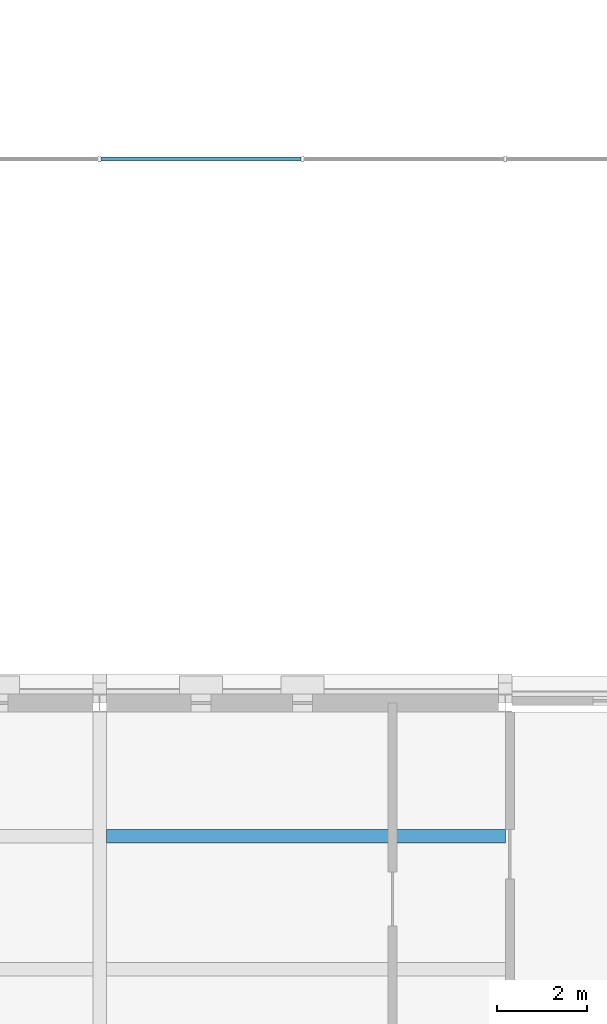
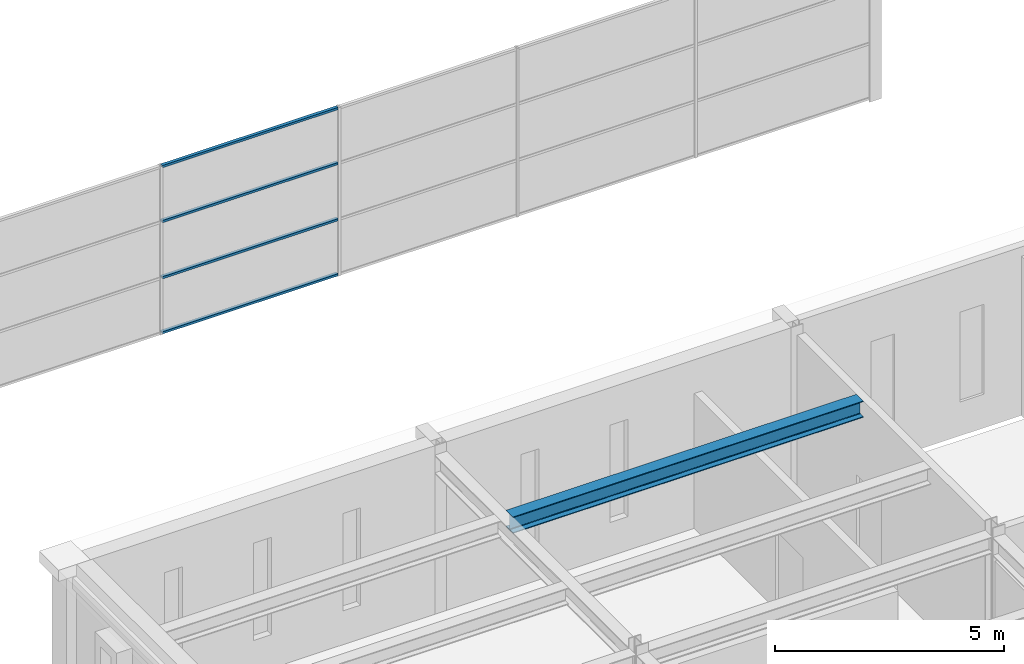
# One storey, part 12 of 70: 4 members, 1 beam, 1 element without a shape of its own.
"""IFC4 building model written with IfcOpenShell, lengths in metres."""

from ifc_helpers import new_model, si_unit, direction, frame, origin, origin_2d, place, context, subcontext, project, spatial, hollow_rectangle, i_section, extrude, material, material_profile, profile_set, type_object, element, aggregate, save


model = new_model("IFC4")

# Units and contexts
model_context = context("Model", 3, precision=1e-05, world=origin(), true_north=direction((0.0, 1.0)))
body_context = subcontext(model_context, "Body", "Model", "MODEL_VIEW")
ifc_project = project(units=[si_unit("LENGTHUNIT", "METRE"), si_unit("AREAUNIT", "SQUARE_METRE"), si_unit("VOLUMEUNIT", "CUBIC_METRE"), si_unit("PLANEANGLEUNIT", "RADIAN"), si_unit("MASSUNIT", "GRAM", prefix="KILO")], contexts=[model_context])

# Site, building, storey
site_placement = place(None, origin())
site = spatial("IfcSite", under=ifc_project, at=site_placement, CompositionType="ELEMENT")
building_placement = place(site_placement, origin())
building = spatial("IfcBuilding", under=site, at=building_placement, Name="Kallimachos Central Library", CompositionType="ELEMENT")
storey_placement = place(building_placement, frame((0.0, 0.0, 18.89990234375)))
storey = spatial("IfcBuildingStorey", under=building, at=storey_placement, Name="L04", CompositionType="ELEMENT", Elevation=18.89990234375)

# Curtain wall, members
ifc_material_1 = material(Name="Aluminium and laminated glass", Category="aluminium")
curtain_wall_type = type_object("IfcCurtainWallType", Name="Atrium glazed screen", PredefinedType="NOTDEFINED", material=ifc_material_1)
curtain_wall_placement = place(storey_placement, origin())
curtain_wall = element("IfcCurtainWall", 1, at=curtain_wall_placement, inside=storey, type_object=curtain_wall_type, Name="L04 atrium screen S", PredefinedType="NOTDEFINED")
ifc_material_2 = material(Name="Anodised aluminium", Category="aluminium")
ifc_material_profile_1 = material_profile(ifc_material_2, hollow_rectangle(XDim=0.06005859375, YDim=0.080078125, WallThickness=0.00390625, at=origin_2d()), Name="ALU TRANSOM 60x80")
ifc_profile_set_1 = profile_set([ifc_material_profile_1], Name="Anodised aluminium")
member_type = type_object("IfcMemberType", Name="Atrium screen transom", PredefinedType="USERDEFINED", material=ifc_profile_set_1)
member_1_placement = place(storey_placement, frame((83.530029296875, 56.919921875, 0.030029296875), z_axis=(1.0, 0.0, 0.0), x_axis=(0.0, 0.0, 1.0)))
member_1 = element("IfcMember", 2, at=member_1_placement, type_object=member_type, Name="CW transom 3.1", ObjectType="TRANSOM", PredefinedType="USERDEFINED", context=body_context, shape_type="SweptSolid", body=[
    extrude(hollow_rectangle(XDim=0.06005859375, YDim=0.080078125, WallThickness=0.00390625, at=origin_2d()), origin(), (0.0, 0.0, 1.0), 4.43994140625),
])
member_2_placement = place(storey_placement, frame((83.530029296875, 56.919921875, 1.5), z_axis=(1.0, 0.0, 0.0), x_axis=(0.0, 0.0, 1.0)))
member_2 = element("IfcMember", 3, at=member_2_placement, type_object=member_type, Name="CW transom 3.2", ObjectType="TRANSOM", PredefinedType="USERDEFINED", context=body_context, shape_type="SweptSolid", body=[
    extrude(hollow_rectangle(XDim=0.06005859375, YDim=0.080078125, WallThickness=0.00390625, at=origin_2d()), origin(), (0.0, 0.0, 1.0), 4.43994140625),
])
member_3_placement = place(storey_placement, frame((83.530029296875, 56.919921875, 3.0), z_axis=(1.0, 0.0, 0.0), x_axis=(0.0, 0.0, 1.0)))
member_3 = element("IfcMember", 4, at=member_3_placement, type_object=member_type, Name="CW transom 3.3", ObjectType="TRANSOM", PredefinedType="USERDEFINED", context=body_context, shape_type="SweptSolid", body=[
    extrude(hollow_rectangle(XDim=0.06005859375, YDim=0.080078125, WallThickness=0.00390625, at=origin_2d()), origin(), (0.0, 0.0, 1.0), 4.43994140625),
])
member_4_placement = place(storey_placement, frame((83.530029296875, 56.919921875, 4.47021484375), z_axis=(1.0, 0.0, 0.0), x_axis=(0.0, 0.0, 1.0)))
member_4 = element("IfcMember", 5, at=member_4_placement, type_object=member_type, Name="CW transom 3.4", ObjectType="TRANSOM", PredefinedType="USERDEFINED", context=body_context, shape_type="SweptSolid", body=[
    extrude(hollow_rectangle(XDim=0.06005859375, YDim=0.080078125, WallThickness=0.00390625, at=origin_2d()), origin(), (0.0, 0.0, 1.0), 4.43994140625),
])
aggregate(curtain_wall, [member_1, member_2, member_3, member_4])

# Beam
ifc_material_3 = material(Name="Steel S355J2", Category="steel")
ifc_material_profile_2 = material_profile(ifc_material_3, i_section(OverallWidth=0.300048828125, OverallDepth=0.43994140625, WebThickness=0.011474609375, FlangeThickness=0.02099609375, FilletRadius=0.027099609375, at=origin_2d()), Name="HEA 450")
ifc_profile_set_2 = profile_set([ifc_material_profile_2], Name="Steel S355J2")
beam_type = type_object("IfcBeamType", Name="HEA 450 beam", PredefinedType="BEAM", material=ifc_profile_set_2)
beam_placement = place(storey_placement, frame((83.64990234375, 41.89990234375, 4.030029296875), z_axis=(1.0, 0.0, 0.0), x_axis=(0.0, 1.0, 0.0)))
element("IfcBeam", 6, at=beam_placement, inside=storey, type_object=beam_type, Name="V5-BEM-L04-018", PredefinedType="BEAM", context=body_context, shape_type="SweptSolid", body=[
    extrude(i_section(OverallWidth=0.300048828125, OverallDepth=0.43994140625, WebThickness=0.011474609375, FlangeThickness=0.02099609375, FilletRadius=0.027099609375, at=origin_2d()), origin(), (0.0, 0.0, 1.0), 8.85009765625),
])

save(model, "model.ifc")
